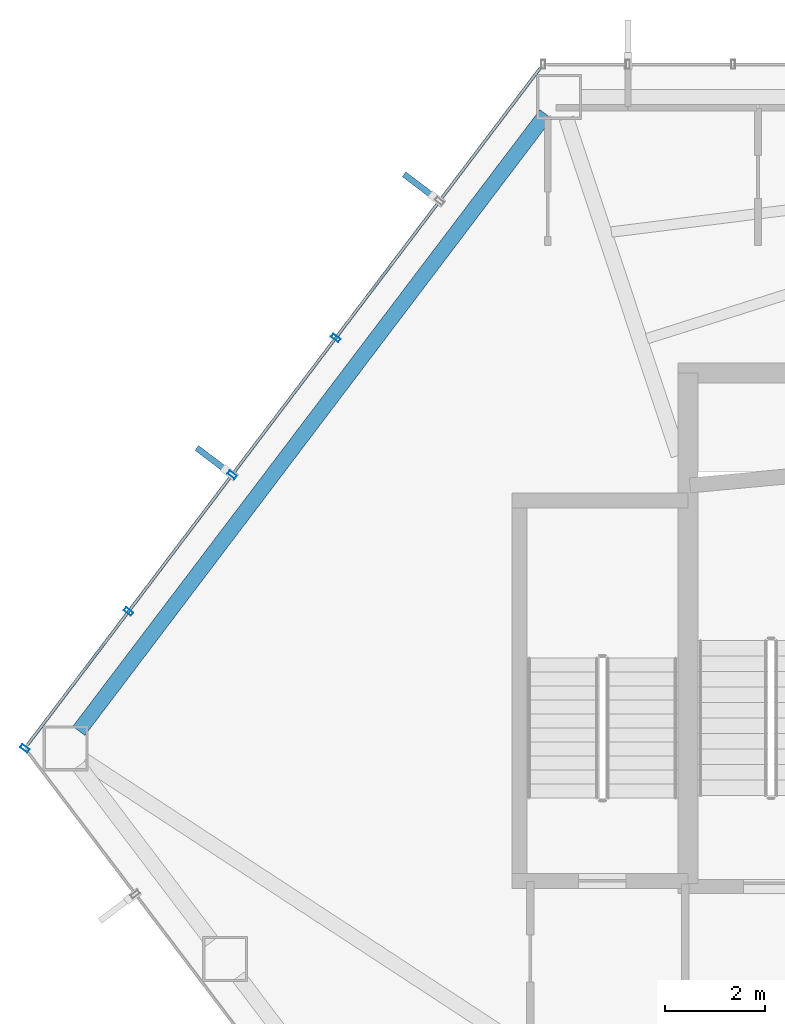
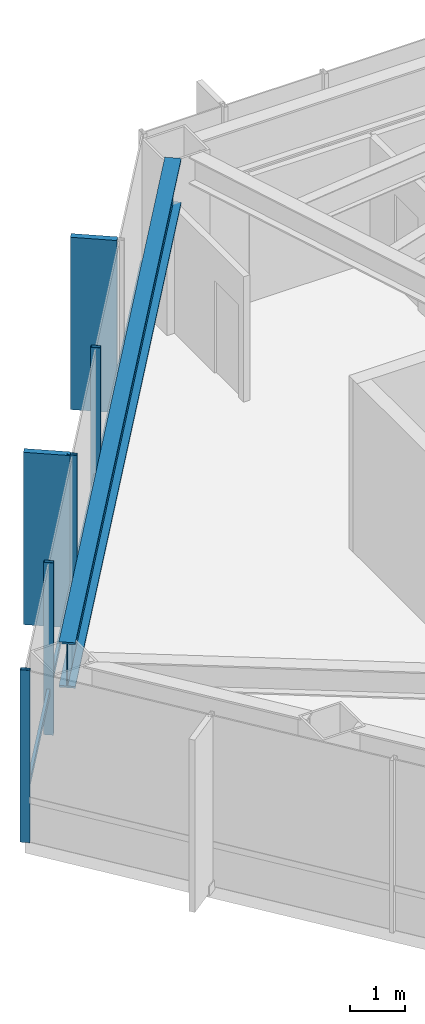
# One storey, part 10 of 25: 7 members, 1 beam, 1 element without a shape of its own.
"""IFC4 building model written with IfcOpenShell, lengths in metres."""

from ifc_helpers import new_model, si_unit, direction, frame, origin, origin_2d, place, context, subcontext, project, spatial, rectangle, hollow_rectangle, i_section, extrude, material, layer, layer_set, material_profile, profile_set, type_object, element, aggregate, save


model = new_model("IFC4")

# Units and contexts
model_context = context("Model", 3, precision=1e-05, world=origin(), true_north=direction((0.0, 1.0)))
body_context = subcontext(model_context, "Body", "Model", "MODEL_VIEW")
ifc_project = project(units=[si_unit("LENGTHUNIT", "METRE"), si_unit("AREAUNIT", "SQUARE_METRE"), si_unit("VOLUMEUNIT", "CUBIC_METRE"), si_unit("PLANEANGLEUNIT", "RADIAN"), si_unit("MASSUNIT", "GRAM", prefix="KILO")], contexts=[model_context])

# Site, building, storey
site_placement = place(None, origin())
site = spatial("IfcSite", under=ifc_project, at=site_placement, CompositionType="ELEMENT")
building_placement = place(site_placement, origin())
building = spatial("IfcBuilding", under=site, at=building_placement, Name="Zarrinselat Tower", CompositionType="ELEMENT")
storey_placement = place(building_placement, frame((0.0, 0.0, 88.739990234375)))
storey = spatial("IfcBuildingStorey", under=building, at=storey_placement, Name="L21", CompositionType="ELEMENT", Elevation=88.739990234375)

# Beam
ifc_material_1 = material(Name="Steel S460M", Category="steel")
ifc_material_profile_1 = material_profile(ifc_material_1, i_section(OverallWidth=0.302001953125, OverallDepth=1.008056640625, WebThickness=0.02099609375, FlangeThickness=0.0400390625, at=origin_2d()), Name="HEM 1000")
ifc_profile_set_1 = profile_set([ifc_material_profile_1], Name="Steel S460M")
beam_type = type_object("IfcBeamType", Name="BM-HEM1000", PredefinedType="BEAM", material=ifc_profile_set_1)
beam_placement = place(storey_placement, frame((16.427734375, 36.294921875, 3.31591796875), z_axis=(0.603848870457, 0.797098828031, 0.0), x_axis=(-0.797098828031, 0.603848870457, 0.0)))
element("IfcBeam", 1, at=beam_placement, inside=storey, type_object=beam_type, Name="L21 Perimeter Spandrel Girder SP05", PredefinedType="BEAM", context=body_context, shape_type="SweptSolid", body=[
    extrude(i_section(OverallWidth=0.302001953125, OverallDepth=1.008056640625, WebThickness=0.02099609375, FlangeThickness=0.0400390625, at=origin_2d()), origin(), (0.0, 0.0, 1.0), 15.45947265625),
])

# Curtain wall, members
ifc_material_2 = material(Name="Extruded Aluminium Alloy EN AW-6063 T6", Category="aluminium")
ifc_layer = layer(ifc_material_2, 0.18505859375)
ifc_layer_set = layer_set([ifc_layer], Name="Extruded Aluminium Alloy EN AW-6063 T6")
curtain_wall_type = type_object("IfcCurtainWallType", Name="CWS-OFF", PredefinedType="NOTDEFINED", material=ifc_layer_set)
curtain_wall_placement = place(storey_placement, origin())
curtain_wall = element("IfcCurtainWall", 2, at=curtain_wall_placement, inside=storey, type_object=curtain_wall_type, Name="L21 Unitised Curtain Wall CW-L21-E02", PredefinedType="NOTDEFINED")
ifc_material_3 = material(Name="Extruded Aluminium Alloy EN AW-6063 T6", Category="aluminium")
ifc_material_profile_2 = material_profile(ifc_material_3, hollow_rectangle(XDim=0.080078125, YDim=0.179931640625, WallThickness=0.0048828125, at=origin_2d()), Name="RHS 180x80x5")
ifc_profile_set_2 = profile_set([ifc_material_profile_2], Name="Extruded Aluminium Alloy EN AW-6063 T6")
member_type_1 = type_object("IfcMemberType", Name="MEM-CW-MUL", PredefinedType="MULLION", material=ifc_profile_set_2)
member_1_placement = place(storey_placement, frame((21.561767578125, 44.148193359375, 0.0), z_axis=(0.0, 0.0, 1.0), x_axis=(-0.603857014451, -0.797092658414, 0.0)))
member_1 = element("IfcMember", 3, at=member_1_placement, type_object=member_type_1, Name="CW-L21-E02 Mullion 2", PredefinedType="MULLION", context=body_context, shape_type="SweptSolid", body=[
    extrude(hollow_rectangle(XDim=0.080078125, YDim=0.179931640625, WallThickness=0.0048828125, at=origin_2d()), origin(), (0.0, 0.0, 1.0), 3.820068359375),
])
member_2_placement = place(storey_placement, frame((19.490478515625, 41.4140625, 0.0), z_axis=(0.0, 0.0, 1.0), x_axis=(-0.603857014451, -0.797092658414, 0.0)))
member_2 = element("IfcMember", 4, at=member_2_placement, type_object=member_type_1, Name="CW-L21-E02 Mullion 3", PredefinedType="MULLION", context=body_context, shape_type="SweptSolid", body=[
    extrude(hollow_rectangle(XDim=0.080078125, YDim=0.179931640625, WallThickness=0.0048828125, at=origin_2d()), origin(), (0.0, 0.0, 1.0), 3.820068359375),
])
member_3_placement = place(storey_placement, frame((17.419189453125, 38.679931640625, 0.0), z_axis=(0.0, 0.0, 1.0), x_axis=(-0.603857014451, -0.797092658414, 0.0)))
member_3 = element("IfcMember", 5, at=member_3_placement, type_object=member_type_1, Name="CW-L21-E02 Mullion 4", PredefinedType="MULLION", context=body_context, shape_type="SweptSolid", body=[
    extrude(hollow_rectangle(XDim=0.080078125, YDim=0.179931640625, WallThickness=0.0048828125, at=origin_2d()), origin(), (0.0, 0.0, 1.0), 3.820068359375),
])
member_4_placement = place(storey_placement, frame((15.34765625, 35.94580078125, 0.0), z_axis=(0.0, 0.0, 1.0), x_axis=(-0.603857014451, -0.797092658414, 0.0)))
member_4 = element("IfcMember", 6, at=member_4_placement, type_object=member_type_1, Name="CW-L21-E02 Mullion 5", PredefinedType="MULLION", context=body_context, shape_type="SweptSolid", body=[
    extrude(hollow_rectangle(XDim=0.080078125, YDim=0.179931640625, WallThickness=0.0048828125, at=origin_2d()), origin(), (0.0, 0.0, 1.0), 3.820068359375),
])
ifc_material_4 = material(Name="Extruded Aluminium Alloy EN AW-6063 T6", Category="aluminium")
ifc_material_profile_3 = material_profile(ifc_material_4, hollow_rectangle(XDim=0.06005859375, YDim=0.139892578125, WallThickness=0.00390625, at=origin_2d()), Name="RHS 140x60x4")
ifc_profile_set_3 = profile_set([ifc_material_profile_3], Name="Extruded Aluminium Alloy EN AW-6063 T6")
member_type_2 = type_object("IfcMemberType", Name="MEM-CW-TRN", PredefinedType="USERDEFINED", material=ifc_profile_set_3)
member_5_placement = place(storey_placement, frame((25.650146484375, 49.544921875, 0.949951171875), z_axis=(-0.603852979489, -0.797095715183, 0.0), x_axis=(0.797095715183, -0.603852979489, 0.0)))
member_5 = element("IfcMember", 7, at=member_5_placement, type_object=member_type_2, Name="CW-L21-E02 Transom 1", ObjectType="TRANSOM", PredefinedType="USERDEFINED", context=body_context, shape_type="SweptSolid", body=[
    extrude(hollow_rectangle(XDim=0.06005859375, YDim=0.139892578125, WallThickness=0.00390625, at=origin_2d()), origin(), (0.0, 0.0, 1.0), 16.97119140625),
])
ifc_material_5 = material(Name="Honed Cream Travertine Stone", Category="masonry")
ifc_material_profile_4 = material_profile(ifc_material_5, rectangle(XDim=0.1201171875, YDim=0.85009765625, at=origin_2d()), Name="FIN 850x120")
ifc_profile_set_4 = profile_set([ifc_material_profile_4], Name="Honed Cream Travertine Stone")
member_type_3 = type_object("IfcMemberType", Name="MEM-STONE-FIN", PredefinedType="USERDEFINED", material=ifc_profile_set_4)
member_6_placement = place(storey_placement, frame((23.266357421875, 47.160400390625, 0.0), z_axis=(0.0, 0.0, 1.0), x_axis=(0.603857014451, 0.797092658414, 0.0)))
member_6 = element("IfcMember", 8, at=member_6_placement, type_object=member_type_3, Name="L21 Stone Shading Fin CW-L21-E02-01", ObjectType="FIN", PredefinedType="USERDEFINED", context=body_context, shape_type="SweptSolid", body=[
    extrude(rectangle(XDim=0.1201171875, YDim=0.85009765625, at=origin_2d()), origin(), (0.0, 0.0, 1.0), 3.820068359375),
])
member_7_placement = place(storey_placement, frame((19.123779296875, 41.69189453125, 0.0), z_axis=(0.0, 0.0, 1.0), x_axis=(0.603857014451, 0.797092658414, 0.0)))
member_7 = element("IfcMember", 9, at=member_7_placement, type_object=member_type_3, Name="L21 Stone Shading Fin CW-L21-E02-03", ObjectType="FIN", PredefinedType="USERDEFINED", context=body_context, shape_type="SweptSolid", body=[
    extrude(rectangle(XDim=0.1201171875, YDim=0.85009765625, at=origin_2d()), origin(), (0.0, 0.0, 1.0), 3.820068359375),
])
aggregate(curtain_wall, [member_6, member_1, member_2, member_7, member_3, member_4, member_5])

save(model, "model.ifc")
